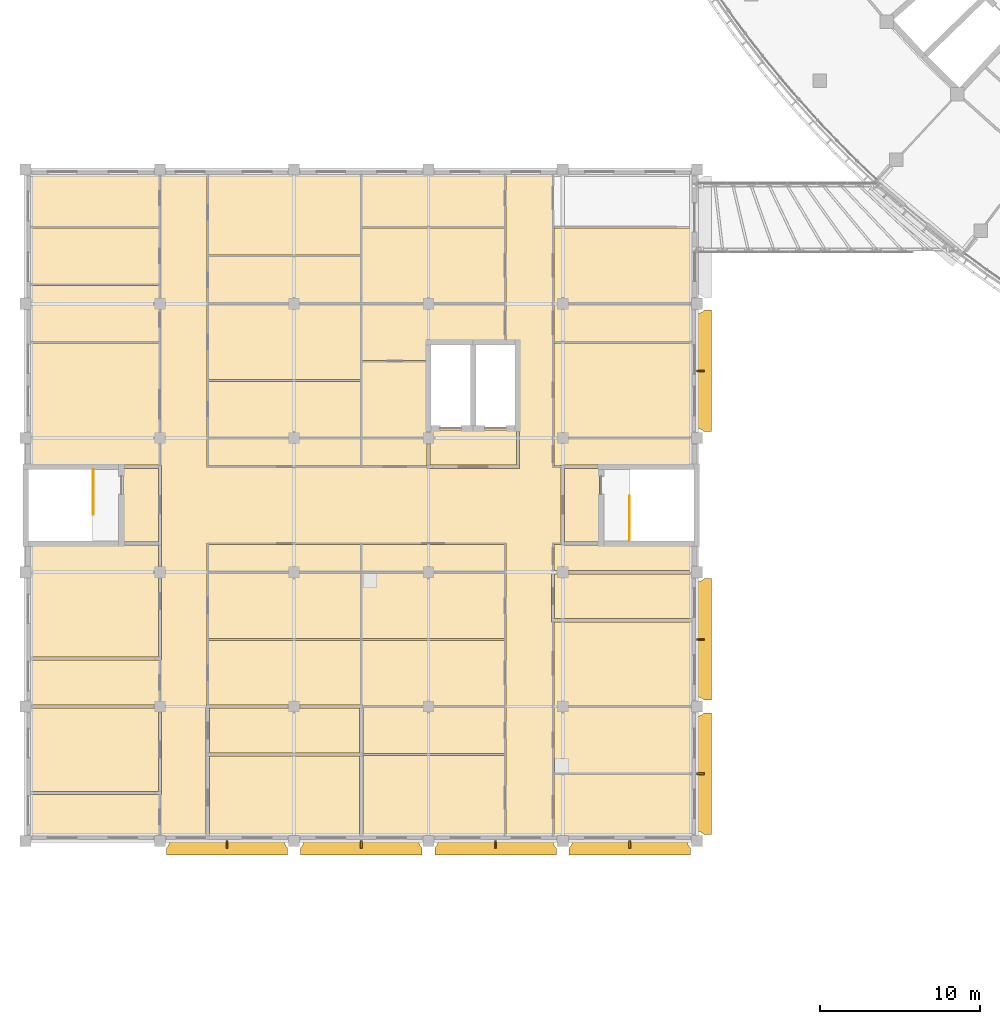
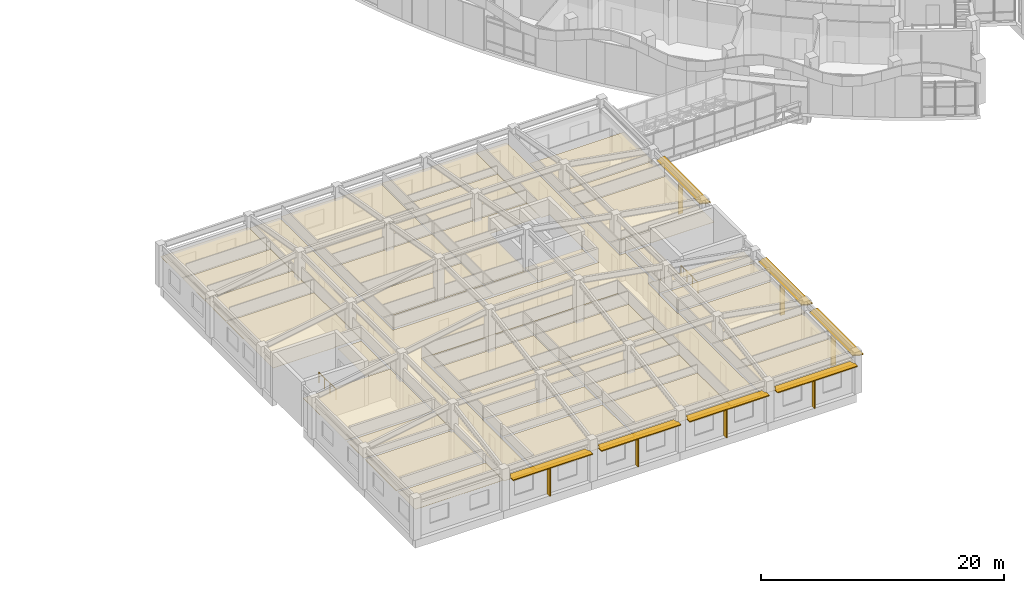
# One storey, part 111 of 136: 41 coverings, 14 shading devices, 2 railings.
"""IFC4 building model written with IfcOpenShell, lengths in metres."""

import ifcopenshell
import ifcopenshell.guid

model = None  # the IFC model being written
_history = None  # IfcOwnerHistory: only IFC2X3 demands one
_inside = {}  # id of a spatial element -> (the spatial element, [elements in it])
_under = {}  # id of a project, library or spatial element -> (it, [spatial elements below it])
_declared = {}  # id of a project -> (the project, [libraries it declares])
_typed = {}  # id of a type object -> (the type object, [elements of that type])
_made_of = {}  # id of a material, layer set ... -> (it, [elements and type objects made of it])


def new_model(schema):
    """Start an empty IFC model of exactly this schema.

    Asked for "IFC4X3", IfcOpenShell would pick the latest addendum, in which some entities
    have other attributes; the version numbers below select the first issue.
    IFC2X3 requires an IfcOwnerHistory on every rooted entity: one is made here for all.
    """
    global model, _history
    if schema == "IFC4X3":
        model = ifcopenshell.file(schema_version=(4, 3, 0, 0))
    else:
        model = ifcopenshell.file(schema=schema)
    _inside.clear()
    _under.clear()
    _declared.clear()
    _typed.clear()
    _made_of.clear()
    _history = None
    if model.schema == "IFC2X3":
        org = make("IfcOrganization", Name="unknown")
        user = make(
            "IfcPersonAndOrganization",
            ThePerson=make("IfcPerson", FamilyName="unknown"),
            TheOrganization=org,
        )
        app = make(
            "IfcApplication",
            ApplicationDeveloper=org,
            Version="unknown",
            ApplicationFullName="unknown",
            ApplicationIdentifier="unknown",
        )
        _history = make(
            "IfcOwnerHistory",
            OwningUser=user,
            OwningApplication=app,
            ChangeAction="ADDED",
            CreationDate=0,
        )
    return model


def make(cls, **values):
    """One entity of the class cls with the attributes given. An attribute that is None is left unset."""
    return model.create_entity(
        cls, **{name: value for name, value in values.items() if value is not None}
    )


def rooted(cls, **values):
    """An entity with a GlobalId (a new one), such as an element, a storey or a relation."""
    return make(cls, GlobalId=ifcopenshell.guid.new(), OwnerHistory=_history, **values)


def si_unit(unit_type, name, prefix=None):
    """IfcSIUnit, for example si_unit("LENGTHUNIT", "METRE", prefix="MILLI")."""
    return make("IfcSIUnit", UnitType=unit_type, Prefix=prefix, Name=name)


def assignment(units):
    """IfcUnitAssignment: the units of a project."""
    return None if units is None else make("IfcUnitAssignment", Units=units)


def point(xyz):
    """IfcCartesianPoint."""
    return None if xyz is None else make("IfcCartesianPoint", Coordinates=xyz)


def direction(xyz):
    """IfcDirection."""
    return None if xyz is None else make("IfcDirection", DirectionRatios=xyz)


def frame(location, z_axis=None, x_axis=None):
    """IfcAxis2Placement3D, a coordinate frame: its origin and axes. An axis left out is left unset."""
    return make(
        "IfcAxis2Placement3D",
        Location=point(location),
        Axis=direction(z_axis),
        RefDirection=direction(x_axis),
    )


def frame_2d(location, x_axis=None):
    """IfcAxis2Placement2D, a coordinate frame in the plane: its origin and x axis."""
    return make(
        "IfcAxis2Placement2D", Location=point(location), RefDirection=direction(x_axis)
    )


def origin():
    """The frame at (0, 0, 0) with its axes left unset."""
    return frame((0.0, 0.0, 0.0))


def origin_2d():
    """The frame at (0, 0) in the plane with its x axis left unset."""
    return frame_2d((0.0, 0.0))


def place(relative_to, where):
    """IfcLocalPlacement: puts the frame where relative to a parent placement (None: the world)."""
    return make(
        "IfcLocalPlacement", PlacementRelTo=relative_to, RelativePlacement=where
    )


def context(
    kind, dimensions, precision=None, world=None, true_north=None, identifier=None
):
    """IfcGeometricRepresentationContext, for example the 3D "Model" context."""
    return make(
        "IfcGeometricRepresentationContext",
        ContextIdentifier=identifier,
        ContextType=kind,
        CoordinateSpaceDimension=dimensions,
        Precision=precision,
        WorldCoordinateSystem=world,
        TrueNorth=true_north,
    )


def subcontext(parent, identifier, kind, view, scale=None):
    """IfcGeometricRepresentationSubContext, for example "Body" below "Model"."""
    return make(
        "IfcGeometricRepresentationSubContext",
        ContextIdentifier=identifier,
        ContextType=kind,
        ParentContext=parent,
        TargetScale=scale,
        TargetView=view,
    )


def project(units=None, contexts=None):
    """IfcProject with its units and contexts."""
    return rooted(
        "IfcProject",
        Name="project",
        RepresentationContexts=contexts,
        UnitsInContext=assignment(units),
    )


def spatial(cls, under=None, at=None, **own):
    """A site, building, storey or space (cls), placed at a placement, below another one or the project."""
    s = rooted(cls, ObjectPlacement=at, **own)
    if under is not None:
        _under.setdefault(under.id(), (under, []))[1].append(s)
    return s


def polyline(points):
    """IfcPolyline through the points."""
    return make("IfcPolyline", Points=[point(p) for p in points])


def profile(cls, at=None, kind="AREA", **sizes):
    """A parametric profile (cls). Its sizes go by their IFC names, for example OverallWidth=200.0."""
    return make(cls, ProfileType=kind, Position=at, **sizes)


def rectangle(**sizes):
    """IfcRectangleProfileDef."""
    return profile("IfcRectangleProfileDef", **sizes)


def circle(**sizes):
    """IfcCircleProfileDef."""
    return profile("IfcCircleProfileDef", **sizes)


def outline(outer, holes=None, kind="AREA"):
    """IfcArbitraryClosedProfileDef: a profile drawn as a closed curve; with holes, ...WithVoids."""
    if holes is None:
        return make("IfcArbitraryClosedProfileDef", ProfileType=kind, OuterCurve=outer)
    return make(
        "IfcArbitraryProfileDefWithVoids",
        ProfileType=kind,
        OuterCurve=outer,
        InnerCurves=holes,
    )


def extrude(swept, where, along, depth):
    """IfcExtrudedAreaSolid: the profile swept, set in the frame where, extruded along a direction by depth."""
    return make(
        "IfcExtrudedAreaSolid",
        SweptArea=swept,
        Position=where,
        ExtrudedDirection=direction(along),
        Depth=depth,
    )


def shape(context_of_items, identifier, shape_type, items):
    """IfcShapeRepresentation: the items that make up one representation, for example the "Body"."""
    return make(
        "IfcShapeRepresentation",
        ContextOfItems=context_of_items,
        RepresentationIdentifier=identifier,
        RepresentationType=shape_type,
        Items=items,
    )


def material(Name=None, Category=None):
    """IfcMaterial."""
    return make("IfcMaterial", Name=Name, Category=Category)


def layer(
    of_material, thickness, ventilated=None, Name=None, Category=None, Priority=None
):
    """IfcMaterialLayer: one layer of a wall or slab, of a material (None: an air gap)."""
    return make(
        "IfcMaterialLayer",
        Material=of_material,
        LayerThickness=thickness,
        IsVentilated=ventilated,
        Name=Name,
        Category=Category,
        Priority=Priority,
    )


def layer_set(layers, Name=None):
    """IfcMaterialLayerSet."""
    return make("IfcMaterialLayerSet", MaterialLayers=layers, LayerSetName=Name)


def material_profile(
    of_material, cross_section, Name=None, Category=None, Priority=None
):
    """IfcMaterialProfile: a cross section and its material."""
    return make(
        "IfcMaterialProfile",
        Name=Name,
        Material=of_material,
        Profile=cross_section,
        Priority=Priority,
        Category=Category,
    )


def profile_set(profiles, Name=None, composite=None):
    """IfcMaterialProfileSet."""
    return make(
        "IfcMaterialProfileSet",
        Name=Name,
        MaterialProfiles=profiles,
        CompositeProfile=composite,
    )


def made_of(thing, what):
    """Note that an element or type object is made of a material, layer set ...; save() writes the relation."""
    if what is not None:
        _made_of.setdefault(what.id(), (what, []))[1].append(thing)
    return thing


def type_object(cls, material=None, **own):
    """A type object (cls), such as IfcWallType, which elements share."""
    return made_of(rooted(cls, **own), material)


def element(
    cls,
    number,
    at=None,
    inside=None,
    cuts=None,
    type_object=None,
    material=None,
    context=None,
    identifier="Body",
    shape_type=None,
    held_by="IfcProductDefinitionShape",
    body=None,
    shapes=None,
    **own,
):
    """One element of the class cls, such as IfcWall. Its Tag is "e" and its number.

    at: its placement. inside: the storey or other place that contains it. cuts: it is an
    opening in that element (IfcRelVoidsElement). A single representation is given by context,
    identifier, shape_type and body (its items); several are given by shapes. held_by: the class
    of the entity that holds the representations. save() writes the other relations.
    """
    e = rooted(cls, Tag="e%d" % number, ObjectPlacement=at, **own)
    if body is not None:
        shapes = [shape(context, identifier, shape_type, body)]
    if shapes is not None:
        e.Representation = make(held_by, Representations=shapes)
    if inside is not None:
        _inside.setdefault(inside.id(), (inside, []))[1].append(e)
    if cuts is not None:
        rooted(
            "IfcRelVoidsElement", RelatingBuildingElement=cuts, RelatedOpeningElement=e
        )
    if type_object is not None:
        _typed.setdefault(type_object.id(), (type_object, []))[1].append(e)
    return made_of(e, material)


def aggregate(whole, parts):
    """IfcRelAggregates: a whole, such as a stair, and the parts it consists of."""
    return rooted("IfcRelAggregates", RelatingObject=whole, RelatedObjects=parts)


def save(model, path):
    """Write the relations noted so far, then the file.

    IfcRelAggregates (storeys below a building ...), IfcRelContainedInSpatialStructure (elements
    in a storey), IfcRelDefinesByType, IfcRelAssociatesMaterial and IfcRelDeclares: one each for
    every whole, place, type object, material and project.
    """
    for whole, parts in _under.values():
        aggregate(whole, parts)
    for where, things in _inside.values():
        rooted(
            "IfcRelContainedInSpatialStructure",
            RelatedElements=things,
            RelatingStructure=where,
        )
    for kind, things in _typed.values():
        rooted("IfcRelDefinesByType", RelatedObjects=things, RelatingType=kind)
    for what, things in _made_of.values():
        rooted("IfcRelAssociatesMaterial", RelatedObjects=things, RelatingMaterial=what)
    for by, libraries in _declared.values():
        rooted("IfcRelDeclares", RelatingContext=by, RelatedDefinitions=libraries)
    model.write(path)


model = new_model("IFC4")

# Units and contexts
model_context = context("Model", 3, precision=1e-05, world=origin(), true_north=direction((0.0, 1.0)))
body_context = subcontext(model_context, "Body", "Model", "MODEL_VIEW")
ifc_project = project(units=[si_unit("LENGTHUNIT", "METRE"), si_unit("AREAUNIT", "SQUARE_METRE"), si_unit("VOLUMEUNIT", "CUBIC_METRE"), si_unit("PLANEANGLEUNIT", "RADIAN"), si_unit("MASSUNIT", "GRAM", prefix="KILO")], contexts=[model_context])

# Site, building, storey
site_placement = place(None, origin())
site = spatial("IfcSite", under=ifc_project, at=site_placement, CompositionType="ELEMENT")
building_placement = place(site_placement, origin())
building = spatial("IfcBuilding", under=site, at=building_placement, Name="Bougainvillea Quay General Hospital", CompositionType="ELEMENT")
storey_placement = place(building_placement, frame((0.0, 0.0, 5.39990234375)))
storey = spatial("IfcBuildingStorey", under=building, at=storey_placement, Name="L01", CompositionType="ELEMENT", Elevation=5.39990234375)

# Railings
ifc_material_1 = material(Name="Stainless steel 304 balustrade", Category="steel")
railing_type = type_object("IfcRailingType", Name="Stair guard 1100", PredefinedType="GUARDRAIL", material=ifc_material_1)
railing_1_placement = place(storey_placement, frame((12.625, 56.824951171875, 0.0)))
element("IfcRailing", 1, at=railing_1_placement, inside=storey, type_object=railing_type, Name="L01 ST-U1 top well guard 1", PredefinedType="GUARDRAIL", context=body_context, shape_type="SweptSolid", body=[
    extrude(circle(Radius=0.02392578125, at=origin_2d()), frame((0.0, 0.0, 1.076171875), z_axis=(0.0, -1.0, 0.0), x_axis=(1.0, 0.0, 0.0)), (0.0, 0.0, 1.0), 2.800048828125),
    extrude(circle(Radius=0.02099609375, at=origin_2d()), origin(), (0.0, 0.0, 1.0), 1.052001953125),
    extrude(circle(Radius=0.02099609375, at=origin_2d()), frame((0.0, -0.933349609375, 0.0)), (0.0, 0.0, 1.0), 1.052001953125),
    extrude(circle(Radius=0.02099609375, at=origin_2d()), frame((0.0, -1.86669921875, 0.0)), (0.0, 0.0, 1.0), 1.052001953125),
    extrude(circle(Radius=0.02099609375, at=origin_2d()), frame((0.0, -2.800048828125, 0.0)), (0.0, 0.0, 1.0), 1.052001953125),
])
railing_2_placement = place(storey_placement, frame((46.175048828125, 52.375, 0.0)))
element("IfcRailing", 2, at=railing_2_placement, inside=storey, type_object=railing_type, Name="L01 ST-U2 top well guard 1", PredefinedType="GUARDRAIL", context=body_context, shape_type="SweptSolid", body=[
    extrude(circle(Radius=0.02392578125, at=origin_2d()), frame((0.0, 0.0, 1.076171875), z_axis=(0.0, 1.0, 0.0), x_axis=(-1.0, 0.0, 0.0)), (0.0, 0.0, 1.0), 2.800048828125),
    extrude(circle(Radius=0.02099609375, at=origin_2d()), origin(), (0.0, 0.0, 1.0), 1.052001953125),
    extrude(circle(Radius=0.02099609375, at=origin_2d()), frame((0.0, 0.933349609375, 0.0)), (0.0, 0.0, 1.0), 1.052001953125),
    extrude(circle(Radius=0.02099609375, at=origin_2d()), frame((0.0, 1.86669921875, 0.0)), (0.0, 0.0, 1.0), 1.052001953125),
    extrude(circle(Radius=0.02099609375, at=origin_2d()), frame((0.0, 2.800048828125, 0.0)), (0.0, 0.0, 1.0), 1.052001953125),
])

# Shading devices
ifc_material_2 = material(Name="Powder-coated aluminium canopy soffit and fascia, white", Category="aluminium")
ifc_layer_1 = layer(ifc_material_2, 0.10009765625)
ifc_layer_set_1 = layer_set([ifc_layer_1], Name="Powder-coated aluminium canopy soffit and fascia, white")
shading_device_type_1 = type_object("IfcShadingDeviceType", Name="Sunshade 100", PredefinedType="USERDEFINED", material=ifc_layer_set_1)
shading_device_1_placement = place(storey_placement, frame((0.0, 0.0, 3.150146484375)))
element("IfcShadingDevice", 3, at=shading_device_1_placement, inside=storey, type_object=shading_device_type_1, Name="Sunshade 0", ObjectType="Sunshade", PredefinedType="USERDEFINED", context=body_context, shape_type="SweptSolid", body=[
    extrude(outline(polyline([(24.60009765625, 33.60009765625), (17.39990234375, 33.60009765625), (17.388427734375, 33.48291015625), (17.354248046875, 33.370361328125), (17.298828125, 33.2666015625), (17.199951171875, 33.15380859375), (17.199951171875, 32.699951171875), (24.800048828125, 32.699951171875), (24.800048828125, 33.15380859375), (24.701171875, 33.2666015625), (24.645751953125, 33.370361328125), (24.611572265625, 33.48291015625), (24.60009765625, 33.60009765625)])), origin(), (0.0, 0.0, 1.0), 0.099853515625),
])
shading_device_2_placement = place(storey_placement, frame((0.0, 0.0, 3.150146484375)))
element("IfcShadingDevice", 4, at=shading_device_2_placement, inside=storey, type_object=shading_device_type_1, Name="Sunshade 0", ObjectType="Sunshade", PredefinedType="USERDEFINED", context=body_context, shape_type="SweptSolid", body=[
    extrude(outline(polyline([(33.0, 33.60009765625), (25.800048828125, 33.60009765625), (25.78857421875, 33.48291015625), (25.75439453125, 33.370361328125), (25.698974609375, 33.2666015625), (25.60009765625, 33.15380859375), (25.60009765625, 32.699951171875), (33.199951171875, 32.699951171875), (33.199951171875, 33.15380859375), (33.10107421875, 33.2666015625), (33.045654296875, 33.370361328125), (33.011474609375, 33.48291015625), (33.0, 33.60009765625)])), origin(), (0.0, 0.0, 1.0), 0.099853515625),
])
shading_device_3_placement = place(storey_placement, frame((0.0, 0.0, 3.150146484375)))
element("IfcShadingDevice", 5, at=shading_device_3_placement, inside=storey, type_object=shading_device_type_1, Name="Sunshade 0", ObjectType="Sunshade", PredefinedType="USERDEFINED", context=body_context, shape_type="SweptSolid", body=[
    extrude(outline(polyline([(41.39990234375, 33.60009765625), (34.199951171875, 33.60009765625), (34.1884765625, 33.48291015625), (34.154296875, 33.370361328125), (34.098876953125, 33.2666015625), (34.0, 33.15380859375), (34.0, 32.699951171875), (41.60009765625, 32.699951171875), (41.60009765625, 33.15380859375), (41.501220703125, 33.2666015625), (41.445556640625, 33.370361328125), (41.41162109375, 33.48291015625), (41.39990234375, 33.60009765625)])), origin(), (0.0, 0.0, 1.0), 0.099853515625),
])
shading_device_4_placement = place(storey_placement, frame((0.0, 0.0, 3.150146484375)))
element("IfcShadingDevice", 6, at=shading_device_4_placement, inside=storey, type_object=shading_device_type_1, Name="Sunshade 0", ObjectType="Sunshade", PredefinedType="USERDEFINED", context=body_context, shape_type="SweptSolid", body=[
    extrude(outline(polyline([(49.800048828125, 33.60009765625), (42.60009765625, 33.60009765625), (42.58837890625, 33.48291015625), (42.554443359375, 33.370361328125), (42.498779296875, 33.2666015625), (42.39990234375, 33.15380859375), (42.39990234375, 32.699951171875), (50.0, 32.699951171875), (50.0, 33.15380859375), (49.901123046875, 33.2666015625), (49.845703125, 33.370361328125), (49.8115234375, 33.48291015625), (49.800048828125, 33.60009765625)])), origin(), (0.0, 0.0, 1.0), 0.099853515625),
])
shading_device_5_placement = place(storey_placement, frame((0.0, 0.0, 3.150146484375)))
element("IfcShadingDevice", 7, at=shading_device_5_placement, inside=storey, type_object=shading_device_type_1, Name="Sunshade 0", ObjectType="Sunshade", PredefinedType="USERDEFINED", context=body_context, shape_type="SweptSolid", body=[
    extrude(outline(polyline([(50.39990234375, 41.39990234375), (50.39990234375, 34.199951171875), (50.51708984375, 34.1884765625), (50.629638671875, 34.154296875), (50.7333984375, 34.098876953125), (50.84619140625, 34.0), (51.300048828125, 34.0), (51.300048828125, 41.60009765625), (50.84619140625, 41.60009765625), (50.7333984375, 41.501220703125), (50.629638671875, 41.445556640625), (50.51708984375, 41.41162109375), (50.39990234375, 41.39990234375)])), origin(), (0.0, 0.0, 1.0), 0.099853515625),
])
shading_device_6_placement = place(storey_placement, frame((0.0, 0.0, 3.150146484375)))
element("IfcShadingDevice", 8, at=shading_device_6_placement, inside=storey, type_object=shading_device_type_1, Name="Sunshade 0", ObjectType="Sunshade", PredefinedType="USERDEFINED", context=body_context, shape_type="SweptSolid", body=[
    extrude(outline(polyline([(50.39990234375, 49.800048828125), (50.39990234375, 42.60009765625), (50.51708984375, 42.58837890625), (50.629638671875, 42.554443359375), (50.7333984375, 42.498779296875), (50.84619140625, 42.39990234375), (51.300048828125, 42.39990234375), (51.300048828125, 50.0), (50.84619140625, 50.0), (50.7333984375, 49.901123046875), (50.629638671875, 49.845703125), (50.51708984375, 49.8115234375), (50.39990234375, 49.800048828125)])), origin(), (0.0, 0.0, 1.0), 0.099853515625),
])
shading_device_7_placement = place(storey_placement, frame((0.0, 0.0, 3.150146484375)))
element("IfcShadingDevice", 9, at=shading_device_7_placement, inside=storey, type_object=shading_device_type_1, Name="Sunshade 0", ObjectType="Sunshade", PredefinedType="USERDEFINED", context=body_context, shape_type="SweptSolid", body=[
    extrude(outline(polyline([(50.39990234375, 66.60009765625), (50.39990234375, 59.39990234375), (50.51708984375, 59.388427734375), (50.629638671875, 59.354248046875), (50.7333984375, 59.298828125), (50.84619140625, 59.199951171875), (51.300048828125, 59.199951171875), (51.300048828125, 66.800048828125), (50.84619140625, 66.800048828125), (50.7333984375, 66.701171875), (50.629638671875, 66.645751953125), (50.51708984375, 66.611572265625), (50.39990234375, 66.60009765625)])), origin(), (0.0, 0.0, 1.0), 0.099853515625),
])

# Coverings
ifc_material_3 = material(Name="Mineral fibre ceiling tile")
ifc_layer_2 = layer(ifc_material_3, 0.030029296875)
ifc_layer_set_2 = layer_set([ifc_layer_2], Name="Mineral fibre ceiling tile")
covering_type = type_object("IfcCoveringType", Name="Suspended ceiling mineral fibre tile", PredefinedType="CEILING", material=ifc_layer_set_2)
covering_1_placement = place(storey_placement, frame((0.0, 0.0, 2.7001953125)))
element("IfcCovering", 10, at=covering_1_placement, inside=storey, type_object=covering_type, Name="Ceiling Corridor V2-1", PredefinedType="CEILING", context=body_context, shape_type="SweptSolid", body=[
    extrude(outline(polyline([(16.85009765625, 75.60009765625), (16.85009765625, 57.10009765625), (16.89990234375, 57.10009765625), (16.89990234375, 44.89990234375), (16.85009765625, 44.89990234375), (16.85009765625, 42.10009765625), (16.89990234375, 42.10009765625), (16.89990234375, 36.5), (16.85009765625, 36.5), (16.85009765625, 33.60009765625), (19.699951171875, 33.60009765625), (19.699951171875, 42.10009765625), (19.75, 42.10009765625), (19.75, 52.25), (38.449951171875, 52.25), (38.449951171875, 33.60009765625), (41.35009765625, 33.60009765625), (41.35009765625, 47.300048828125), (41.300048828125, 47.300048828125), (41.300048828125, 50.5), (41.35009765625, 50.5), (41.35009765625, 52.25), (41.89990234375, 52.25), (41.89990234375, 56.949951171875), (41.35009765625, 56.949951171875), (41.35009765625, 75.60009765625), (38.449951171875, 75.60009765625), (38.449951171875, 64.85009765625), (39.25, 64.85009765625), (39.25, 59.5), (39.300048828125, 59.5), (39.300048828125, 56.89990234375), (33.5, 56.89990234375), (33.5, 56.949951171875), (19.75, 56.949951171875), (19.75, 75.60009765625), (16.85009765625, 75.60009765625)])), origin(), (0.0, 0.0, 1.0), 0.02978515625),
])
covering_2_placement = place(storey_placement, frame((0.0, 0.0, 2.7001953125)))
element("IfcCovering", 11, at=covering_2_placement, inside=storey, type_object=covering_type, Name="Ceiling Lift Lobby LB-U1", PredefinedType="CEILING", context=body_context, shape_type="SweptSolid", body=[
    extrude(outline(polyline([(39.10009765625, 57.10009765625), (39.10009765625, 59.300048828125), (33.699951171875, 59.300048828125), (33.699951171875, 57.10009765625), (39.10009765625, 57.10009765625)])), origin(), (0.0, 0.0, 1.0), 0.02978515625),
])
covering_3_placement = place(storey_placement, frame((0.0, 0.0, 2.7001953125)))
element("IfcCovering", 12, at=covering_3_placement, inside=storey, type_object=covering_type, Name="Ceiling Smoke-proof Stair Vestibule ST-U1", PredefinedType="CEILING", context=body_context, shape_type="SweptSolid", body=[
    extrude(outline(polyline([(14.5, 56.89990234375), (14.5, 52.300048828125), (16.699951171875, 52.300048828125), (16.699951171875, 56.89990234375), (14.5, 56.89990234375)])), origin(), (0.0, 0.0, 1.0), 0.02978515625),
])
covering_4_placement = place(storey_placement, frame((0.0, 0.0, 2.7001953125)))
element("IfcCovering", 13, at=covering_4_placement, inside=storey, type_object=covering_type, Name="Ceiling Smoke-proof Stair Vestibule ST-U2", PredefinedType="CEILING", context=body_context, shape_type="SweptSolid", body=[
    extrude(outline(polyline([(44.300048828125, 52.300048828125), (44.300048828125, 56.89990234375), (42.10009765625, 56.89990234375), (42.10009765625, 52.300048828125), (44.300048828125, 52.300048828125)])), origin(), (0.0, 0.0, 1.0), 0.02978515625),
])
covering_5_placement = place(storey_placement, frame((0.0, 0.0, 2.800048828125)))
element("IfcCovering", 14, at=covering_5_placement, inside=storey, type_object=covering_type, Name="Ceiling Emergency CT Scanner Room", PredefinedType="CEILING", context=body_context, shape_type="SweptSolid", body=[
    extrude(outline(polyline([(8.39990234375, 45.10009765625), (16.699951171875, 45.10009765625), (16.699951171875, 52.10009765625), (8.39990234375, 52.10009765625), (8.39990234375, 45.10009765625)])), origin(), (0.0, 0.0, 1.0), 0.030029296875),
])
covering_6_placement = place(storey_placement, frame((0.0, 0.0, 2.800048828125)))
element("IfcCovering", 15, at=covering_6_placement, inside=storey, type_object=covering_type, Name="Ceiling Emergency CT Control Room", PredefinedType="CEILING", context=body_context, shape_type="SweptSolid", body=[
    extrude(outline(polyline([(8.39990234375, 42.10009765625), (16.75, 42.10009765625), (16.75, 44.89990234375), (8.39990234375, 44.89990234375), (8.39990234375, 42.10009765625)])), origin(), (0.0, 0.0, 1.0), 0.030029296875),
])
covering_7_placement = place(storey_placement, frame((0.0, 0.0, 2.800048828125)))
element("IfcCovering", 16, at=covering_7_placement, inside=storey, type_object=covering_type, Name="Ceiling Emergency X-ray Room", PredefinedType="CEILING", context=body_context, shape_type="SweptSolid", body=[
    extrude(outline(polyline([(8.39990234375, 36.699951171875), (16.699951171875, 36.699951171875), (16.699951171875, 41.89990234375), (8.39990234375, 41.89990234375), (8.39990234375, 36.699951171875)])), origin(), (0.0, 0.0, 1.0), 0.030029296875),
])
covering_8_placement = place(storey_placement, frame((0.0, 0.0, 2.800048828125)))
element("IfcCovering", 17, at=covering_8_placement, inside=storey, type_object=covering_type, Name="Ceiling Emergency X-ray Control Room", PredefinedType="CEILING", context=body_context, shape_type="SweptSolid", body=[
    extrude(outline(polyline([(16.75, 33.60009765625), (16.75, 36.5), (8.39990234375, 36.5), (8.39990234375, 33.60009765625), (16.75, 33.60009765625)])), origin(), (0.0, 0.0, 1.0), 0.030029296875),
])
covering_9_placement = place(storey_placement, frame((0.0, 0.0, 2.800048828125)))
element("IfcCovering", 18, at=covering_9_placement, inside=storey, type_object=covering_type, Name="Ceiling Emergency Imaging Reception", PredefinedType="CEILING", context=body_context, shape_type="SweptSolid", body=[
    extrude(outline(polyline([(19.85009765625, 52.14990234375), (19.85009765625, 50.449951171875), (29.35009765625, 50.449951171875), (29.35009765625, 52.14990234375), (19.85009765625, 52.14990234375)])), origin(), (0.0, 0.0, 1.0), 0.030029296875),
])
covering_10_placement = place(storey_placement, frame((0.0, 0.0, 2.800048828125)))
element("IfcCovering", 19, at=covering_10_placement, inside=storey, type_object=covering_type, Name="Ceiling Emergency Ultrasound Room", PredefinedType="CEILING", context=body_context, shape_type="SweptSolid", body=[
    extrude(outline(polyline([(29.35009765625, 50.35009765625), (19.85009765625, 50.35009765625), (19.85009765625, 46.25), (29.35009765625, 46.25), (29.35009765625, 50.35009765625)])), origin(), (0.0, 0.0, 1.0), 0.030029296875),
])
covering_11_placement = place(storey_placement, frame((0.0, 0.0, 2.800048828125)))
element("IfcCovering", 20, at=covering_11_placement, inside=storey, type_object=covering_type, Name="Ceiling Emergency Imaging Changing Room 01", PredefinedType="CEILING", context=body_context, shape_type="SweptSolid", body=[
    extrude(outline(polyline([(19.85009765625, 46.14990234375), (19.85009765625, 42.10009765625), (29.35009765625, 42.10009765625), (29.35009765625, 46.14990234375), (19.85009765625, 46.14990234375)])), origin(), (0.0, 0.0, 1.0), 0.030029296875),
])
covering_12_placement = place(storey_placement, frame((0.0, 0.0, 2.800048828125)))
element("IfcCovering", 21, at=covering_12_placement, inside=storey, type_object=covering_type, Name="Ceiling Emergency Imaging Store", PredefinedType="CEILING", context=body_context, shape_type="SweptSolid", body=[
    extrude(outline(polyline([(29.300048828125, 41.89990234375), (19.89990234375, 41.89990234375), (19.89990234375, 39.10009765625), (29.300048828125, 39.10009765625), (29.300048828125, 41.89990234375)])), origin(), (0.0, 0.0, 1.0), 0.030029296875),
])
covering_13_placement = place(storey_placement, frame((0.0, 0.0, 2.800048828125)))
element("IfcCovering", 22, at=covering_13_placement, inside=storey, type_object=covering_type, Name="Ceiling Emergency CT Scanner Room", PredefinedType="CEILING", context=body_context, shape_type="SweptSolid", body=[
    extrude(outline(polyline([(29.300048828125, 33.60009765625), (29.300048828125, 38.89990234375), (19.89990234375, 38.89990234375), (19.89990234375, 33.60009765625), (29.300048828125, 33.60009765625)])), origin(), (0.0, 0.0, 1.0), 0.030029296875),
])
covering_14_placement = place(storey_placement, frame((0.0, 0.0, 2.800048828125)))
element("IfcCovering", 23, at=covering_14_placement, inside=storey, type_object=covering_type, Name="Ceiling Emergency Decontamination Room", PredefinedType="CEILING", context=body_context, shape_type="SweptSolid", body=[
    extrude(outline(polyline([(29.449951171875, 52.14990234375), (29.449951171875, 50.449951171875), (38.35009765625, 50.449951171875), (38.35009765625, 52.14990234375), (29.449951171875, 52.14990234375)])), origin(), (0.0, 0.0, 1.0), 0.030029296875),
])
covering_15_placement = place(storey_placement, frame((0.0, 0.0, 2.800048828125)))
element("IfcCovering", 24, at=covering_15_placement, inside=storey, type_object=covering_type, Name="Ceiling Emergency Decontamination Shower Room", PredefinedType="CEILING", context=body_context, shape_type="SweptSolid", body=[
    extrude(outline(polyline([(38.35009765625, 46.25), (38.35009765625, 50.35009765625), (29.449951171875, 50.35009765625), (29.449951171875, 46.25), (38.35009765625, 46.25)])), origin(), (0.0, 0.0, 1.0), 0.030029296875),
])
covering_16_placement = place(storey_placement, frame((0.0, 0.0, 2.800048828125)))
element("IfcCovering", 25, at=covering_16_placement, inside=storey, type_object=covering_type, Name="Ceiling Emergency Isolation Room 01", PredefinedType="CEILING", context=body_context, shape_type="SweptSolid", body=[
    extrude(outline(polyline([(29.449951171875, 46.14990234375), (29.449951171875, 42.10009765625), (29.5, 42.10009765625), (29.5, 42.050048828125), (38.35009765625, 42.050048828125), (38.35009765625, 46.14990234375), (29.449951171875, 46.14990234375)])), origin(), (0.0, 0.0, 1.0), 0.030029296875),
])
covering_17_placement = place(storey_placement, frame((0.0, 0.0, 2.800048828125)))
element("IfcCovering", 26, at=covering_17_placement, inside=storey, type_object=covering_type, Name="Ceiling Emergency Isolation Anteroom 01", PredefinedType="CEILING", context=body_context, shape_type="SweptSolid", body=[
    extrude(outline(polyline([(38.35009765625, 39.050048828125), (38.35009765625, 41.949951171875), (29.5, 41.949951171875), (29.5, 39.050048828125), (38.35009765625, 39.050048828125)])), origin(), (0.0, 0.0, 1.0), 0.030029296875),
])
covering_18_placement = place(storey_placement, frame((0.0, 0.0, 2.800048828125)))
element("IfcCovering", 27, at=covering_18_placement, inside=storey, type_object=covering_type, Name="Ceiling Emergency Isolation Room 02", PredefinedType="CEILING", context=body_context, shape_type="SweptSolid", body=[
    extrude(outline(polyline([(38.35009765625, 33.60009765625), (38.35009765625, 38.949951171875), (29.5, 38.949951171875), (29.5, 33.60009765625), (38.35009765625, 33.60009765625)])), origin(), (0.0, 0.0, 1.0), 0.030029296875),
])
covering_19_placement = place(storey_placement, frame((0.0, 0.0, 2.800048828125)))
element("IfcCovering", 28, at=covering_19_placement, inside=storey, type_object=covering_type, Name="Ceiling Emergency Negative Pressure Room", PredefinedType="CEILING", context=body_context, shape_type="SweptSolid", body=[
    extrude(outline(polyline([(50.39990234375, 52.14990234375), (44.5, 52.14990234375), (44.5, 52.10009765625), (41.89990234375, 52.10009765625), (41.89990234375, 52.14990234375), (41.449951171875, 52.14990234375), (41.449951171875, 50.5), (50.39990234375, 50.5), (50.39990234375, 52.14990234375)])), origin(), (0.0, 0.0, 1.0), 0.030029296875),
])
covering_20_placement = place(storey_placement, frame((0.0, 0.0, 2.800048828125)))
element("IfcCovering", 29, at=covering_20_placement, inside=storey, type_object=covering_type, Name="Ceiling Emergency Waste Store", PredefinedType="CEILING", context=body_context, shape_type="SweptSolid", body=[
    extrude(outline(polyline([(50.39990234375, 50.300048828125), (41.5, 50.300048828125), (41.5, 47.5), (50.39990234375, 47.5), (50.39990234375, 50.300048828125)])), origin(), (0.0, 0.0, 1.0), 0.030029296875),
])
covering_21_placement = place(storey_placement, frame((0.0, 0.0, 2.800048828125)))
element("IfcCovering", 30, at=covering_21_placement, inside=storey, type_object=covering_type, Name="Ceiling Emergency Decontamination Room", PredefinedType="CEILING", context=body_context, shape_type="SweptSolid", body=[
    extrude(outline(polyline([(50.39990234375, 47.300048828125), (41.449951171875, 47.300048828125), (41.449951171875, 42.050048828125), (50.39990234375, 42.050048828125), (50.39990234375, 47.300048828125)])), origin(), (0.0, 0.0, 1.0), 0.030029296875),
])
covering_22_placement = place(storey_placement, frame((0.0, 0.0, 2.800048828125)))
element("IfcCovering", 31, at=covering_22_placement, inside=storey, type_object=covering_type, Name="Ceiling Emergency Decontamination Shower Room", PredefinedType="CEILING", context=body_context, shape_type="SweptSolid", body=[
    extrude(outline(polyline([(50.39990234375, 41.949951171875), (41.449951171875, 41.949951171875), (41.449951171875, 37.85009765625), (50.39990234375, 37.85009765625), (50.39990234375, 41.949951171875)])), origin(), (0.0, 0.0, 1.0), 0.030029296875),
])
covering_23_placement = place(storey_placement, frame((0.0, 0.0, 2.800048828125)))
element("IfcCovering", 32, at=covering_23_placement, inside=storey, type_object=covering_type, Name="Ceiling Emergency Isolation Room 03", PredefinedType="CEILING", context=body_context, shape_type="SweptSolid", body=[
    extrude(outline(polyline([(50.39990234375, 37.75), (41.449951171875, 37.75), (41.449951171875, 33.60009765625), (50.39990234375, 33.60009765625), (50.39990234375, 37.75)])), origin(), (0.0, 0.0, 1.0), 0.030029296875),
])
covering_24_placement = place(storey_placement, frame((0.0, 0.0, 2.800048828125)))
element("IfcCovering", 33, at=covering_24_placement, inside=storey, type_object=covering_type, Name="Ceiling Emergency Staff Base", PredefinedType="CEILING", context=body_context, shape_type="SweptSolid", body=[
    extrude(outline(polyline([(8.39990234375, 57.050048828125), (14.300048828125, 57.050048828125), (14.300048828125, 57.10009765625), (16.75, 57.10009765625), (16.75, 64.75), (8.39990234375, 64.75), (8.39990234375, 57.050048828125)])), origin(), (0.0, 0.0, 1.0), 0.030029296875),
])
covering_25_placement = place(storey_placement, frame((0.0, 0.0, 2.800048828125)))
element("IfcCovering", 34, at=covering_25_placement, inside=storey, type_object=covering_type, Name="Ceiling Emergency Doctors' Office 01", PredefinedType="CEILING", context=body_context, shape_type="SweptSolid", body=[
    extrude(outline(polyline([(8.39990234375, 64.85009765625), (16.75, 64.85009765625), (16.75, 68.35009765625), (8.39990234375, 68.35009765625), (8.39990234375, 64.85009765625)])), origin(), (0.0, 0.0, 1.0), 0.030029296875),
])
covering_26_placement = place(storey_placement, frame((0.0, 0.0, 2.800048828125)))
element("IfcCovering", 35, at=covering_26_placement, inside=storey, type_object=covering_type, Name="Ceiling Emergency Family Room 01", PredefinedType="CEILING", context=body_context, shape_type="SweptSolid", body=[
    extrude(outline(polyline([(8.39990234375, 68.449951171875), (16.75, 68.449951171875), (16.75, 71.949951171875), (8.39990234375, 71.949951171875), (8.39990234375, 68.449951171875)])), origin(), (0.0, 0.0, 1.0), 0.030029296875),
])
covering_27_placement = place(storey_placement, frame((0.0, 0.0, 2.800048828125)))
element("IfcCovering", 36, at=covering_27_placement, inside=storey, type_object=covering_type, Name="Ceiling Emergency Nurse Manager Office", PredefinedType="CEILING", context=body_context, shape_type="SweptSolid", body=[
    extrude(outline(polyline([(8.39990234375, 75.60009765625), (8.39990234375, 72.050048828125), (16.75, 72.050048828125), (16.75, 75.60009765625), (8.39990234375, 75.60009765625)])), origin(), (0.0, 0.0, 1.0), 0.030029296875),
])
covering_28_placement = place(storey_placement, frame((0.0, 0.0, 2.800048828125)))
element("IfcCovering", 37, at=covering_28_placement, inside=storey, type_object=covering_type, Name="Ceiling Emergency Staff Rest Room", PredefinedType="CEILING", context=body_context, shape_type="SweptSolid", body=[
    extrude(outline(polyline([(19.85009765625, 58.75), (19.85009765625, 57.050048828125), (29.35009765625, 57.050048828125), (29.35009765625, 58.75), (19.85009765625, 58.75)])), origin(), (0.0, 0.0, 1.0), 0.030029296875),
])
covering_29_placement = place(storey_placement, frame((0.0, 0.0, 2.800048828125)))
element("IfcCovering", 38, at=covering_29_placement, inside=storey, type_object=covering_type, Name="Ceiling Emergency Family Room 02", PredefinedType="CEILING", context=body_context, shape_type="SweptSolid", body=[
    extrude(outline(polyline([(19.85009765625, 62.35009765625), (19.85009765625, 58.85009765625), (29.35009765625, 58.85009765625), (29.35009765625, 62.35009765625), (19.85009765625, 62.35009765625)])), origin(), (0.0, 0.0, 1.0), 0.030029296875),
])
covering_30_placement = place(storey_placement, frame((0.0, 0.0, 2.800048828125)))
element("IfcCovering", 39, at=covering_30_placement, inside=storey, type_object=covering_type, Name="Ceiling Emergency Staff Changing Room", PredefinedType="CEILING", context=body_context, shape_type="SweptSolid", body=[
    extrude(outline(polyline([(19.85009765625, 67.14990234375), (19.85009765625, 62.449951171875), (29.35009765625, 62.449951171875), (29.35009765625, 67.14990234375), (19.85009765625, 67.14990234375)])), origin(), (0.0, 0.0, 1.0), 0.030029296875),
])
covering_31_placement = place(storey_placement, frame((0.0, 0.0, 2.800048828125)))
element("IfcCovering", 40, at=covering_31_placement, inside=storey, type_object=covering_type, Name="Ceiling Emergency Staff WC 01", PredefinedType="CEILING", context=body_context, shape_type="SweptSolid", body=[
    extrude(outline(polyline([(19.85009765625, 70.14990234375), (19.85009765625, 67.25), (29.35009765625, 67.25), (29.35009765625, 70.14990234375), (19.85009765625, 70.14990234375)])), origin(), (0.0, 0.0, 1.0), 0.030029296875),
])
covering_32_placement = place(storey_placement, frame((0.0, 0.0, 2.800048828125)))
element("IfcCovering", 41, at=covering_32_placement, inside=storey, type_object=covering_type, Name="Ceiling Emergency Seminar Room", PredefinedType="CEILING", context=body_context, shape_type="SweptSolid", body=[
    extrude(outline(polyline([(19.85009765625, 75.60009765625), (19.85009765625, 70.25), (29.35009765625, 70.25), (29.35009765625, 75.60009765625), (19.85009765625, 75.60009765625)])), origin(), (0.0, 0.0, 1.0), 0.030029296875),
])
covering_33_placement = place(storey_placement, frame((0.0, 0.0, 2.800048828125)))
element("IfcCovering", 42, at=covering_33_placement, inside=storey, type_object=covering_type, Name="Ceiling Emergency Short Stay Bay Room 01", PredefinedType="CEILING", context=body_context, shape_type="SweptSolid", body=[
    extrude(outline(polyline([(29.449951171875, 58.75), (29.449951171875, 57.050048828125), (33.5, 57.050048828125), (33.5, 58.75), (29.449951171875, 58.75)])), origin(), (0.0, 0.0, 1.0), 0.030029296875),
])
covering_34_placement = place(storey_placement, frame((0.0, 0.0, 2.800048828125)))
element("IfcCovering", 43, at=covering_34_placement, inside=storey, type_object=covering_type, Name="Ceiling Emergency Short Stay Bay Room 02", PredefinedType="CEILING", context=body_context, shape_type="SweptSolid", body=[
    extrude(outline(polyline([(33.550048828125, 59.5), (33.550048828125, 63.550048828125), (29.449951171875, 63.550048828125), (29.449951171875, 58.85009765625), (33.5, 58.85009765625), (33.5, 59.5), (33.550048828125, 59.5)])), origin(), (0.0, 0.0, 1.0), 0.030029296875),
])
covering_35_placement = place(storey_placement, frame((0.0, 0.0, 2.800048828125)))
element("IfcCovering", 44, at=covering_35_placement, inside=storey, type_object=covering_type, Name="Ceiling Emergency Short Stay Bay Room 03", PredefinedType="CEILING", context=body_context, shape_type="SweptSolid", body=[
    extrude(outline(polyline([(38.35009765625, 64.85009765625), (38.35009765625, 67.14990234375), (29.449951171875, 67.14990234375), (29.449951171875, 63.64990234375), (33.550048828125, 63.64990234375), (33.550048828125, 64.85009765625), (38.35009765625, 64.85009765625)])), origin(), (0.0, 0.0, 1.0), 0.030029296875),
])
covering_36_placement = place(storey_placement, frame((0.0, 0.0, 2.800048828125)))
element("IfcCovering", 45, at=covering_36_placement, inside=storey, type_object=covering_type, Name="Ceiling Emergency Short Stay Bay Room 04", PredefinedType="CEILING", context=body_context, shape_type="SweptSolid", body=[
    extrude(outline(polyline([(38.35009765625, 67.25), (38.35009765625, 71.949951171875), (29.449951171875, 71.949951171875), (29.449951171875, 67.25), (38.35009765625, 67.25)])), origin(), (0.0, 0.0, 1.0), 0.030029296875),
])
covering_37_placement = place(storey_placement, frame((0.0, 0.0, 2.800048828125)))
element("IfcCovering", 46, at=covering_37_placement, inside=storey, type_object=covering_type, Name="Ceiling Emergency Short Stay Nurses' Station", PredefinedType="CEILING", context=body_context, shape_type="SweptSolid", body=[
    extrude(outline(polyline([(29.449951171875, 75.60009765625), (29.449951171875, 72.050048828125), (38.35009765625, 72.050048828125), (38.35009765625, 75.60009765625), (29.449951171875, 75.60009765625)])), origin(), (0.0, 0.0, 1.0), 0.030029296875),
])
covering_38_placement = place(storey_placement, frame((0.0, 0.0, 2.800048828125)))
element("IfcCovering", 47, at=covering_38_placement, inside=storey, type_object=covering_type, Name="Ceiling Emergency Short Stay WC", PredefinedType="CEILING", context=body_context, shape_type="SweptSolid", body=[
    extrude(outline(polyline([(50.39990234375, 58.75), (41.449951171875, 58.75), (41.449951171875, 57.050048828125), (41.89990234375, 57.050048828125), (41.89990234375, 57.10009765625), (44.5, 57.10009765625), (44.5, 57.050048828125), (50.39990234375, 57.050048828125), (50.39990234375, 58.75)])), origin(), (0.0, 0.0, 1.0), 0.030029296875),
])
covering_39_placement = place(storey_placement, frame((0.0, 0.0, 2.800048828125)))
element("IfcCovering", 48, at=covering_39_placement, inside=storey, type_object=covering_type, Name="Ceiling Emergency Short Stay Day Room", PredefinedType="CEILING", context=body_context, shape_type="SweptSolid", body=[
    extrude(outline(polyline([(50.39990234375, 64.75), (41.449951171875, 64.75), (41.449951171875, 58.85009765625), (50.39990234375, 58.85009765625), (50.39990234375, 64.75)])), origin(), (0.0, 0.0, 1.0), 0.030029296875),
])
covering_40_placement = place(storey_placement, frame((0.0, 0.0, 2.800048828125)))
element("IfcCovering", 49, at=covering_40_placement, inside=storey, type_object=covering_type, Name="Ceiling Emergency Short Stay Bay Room 05", PredefinedType="CEILING", context=body_context, shape_type="SweptSolid", body=[
    extrude(outline(polyline([(50.39990234375, 67.14990234375), (41.449951171875, 67.14990234375), (41.449951171875, 64.85009765625), (50.39990234375, 64.85009765625), (50.39990234375, 67.14990234375)])), origin(), (0.0, 0.0, 1.0), 0.030029296875),
])
covering_41_placement = place(storey_placement, frame((0.0, 0.0, 2.800048828125)))
element("IfcCovering", 50, at=covering_41_placement, inside=storey, type_object=covering_type, Name="Ceiling Emergency Short Stay Bay Room 06", PredefinedType="CEILING", context=body_context, shape_type="SweptSolid", body=[
    extrude(outline(polyline([(50.39990234375, 71.949951171875), (41.449951171875, 71.949951171875), (41.449951171875, 67.25), (50.39990234375, 67.25), (50.39990234375, 71.949951171875)])), origin(), (0.0, 0.0, 1.0), 0.030029296875),
])

# Shading devices
ifc_material_4 = material(Name="Powder-coated aluminium fin, white", Category="aluminium")
ifc_material_profile = material_profile(ifc_material_4, rectangle(XDim=0.449951171875, YDim=0.10009765625, at=origin_2d()))
ifc_profile_set = profile_set([ifc_material_profile], Name="Powder-coated aluminium fin, white")
shading_device_type_2 = type_object("IfcShadingDeviceType", Name="Vertical fin 450x100", PredefinedType="USERDEFINED", material=ifc_profile_set)
for number, where, z_axis, x_axis, name in (
    (51, (21.0, 33.375, 0.0), (0.0, 0.0, 1.0), (0.0, -1.0, 0.0), "Vertical fin 02b 1"),
    (52, (29.39990234375, 33.375, 0.0), (0.0, 0.0, 1.0), (0.0, -1.0, 0.0), "Vertical fin 02c 1"),
    (53, (37.800048828125, 33.375, 0.0), (0.0, 0.0, 1.0), (0.0, -1.0, 0.0), "Vertical fin 02d 1"),
    (54, (46.199951171875, 33.375, 0.0), (0.0, 0.0, 1.0), (0.0, -1.0, 0.0), "Vertical fin 02e 1"),
    (55, (50.625, 37.800048828125, 0.0), (0.0, 0.0, 1.0), (1.0, 0.0, 0.0), "Vertical fin 03a 1"),
    (56, (50.625, 46.199951171875, 0.0), (0.0, 0.0, 1.0), (1.0, 0.0, 0.0), "Vertical fin 03b 1"),
    (57, (50.625, 63.0, 0.0), (0.0, 0.0, 1.0), (1.0, 0.0, 0.0), "Vertical fin 03e 1"),
):
    element("IfcShadingDevice", number, at=place(storey_placement, frame(where, z_axis=z_axis, x_axis=x_axis)), inside=storey, type_object=shading_device_type_2, Name=name, ObjectType="Vertical fin", PredefinedType="USERDEFINED", context=body_context, shape_type="SweptSolid", body=[
        extrude(rectangle(XDim=0.449951171875, YDim=0.10009765625, at=origin_2d()), origin(), (0.0, 0.0, 1.0), 3.150146484375),
    ])

save(model, "model.ifc")
